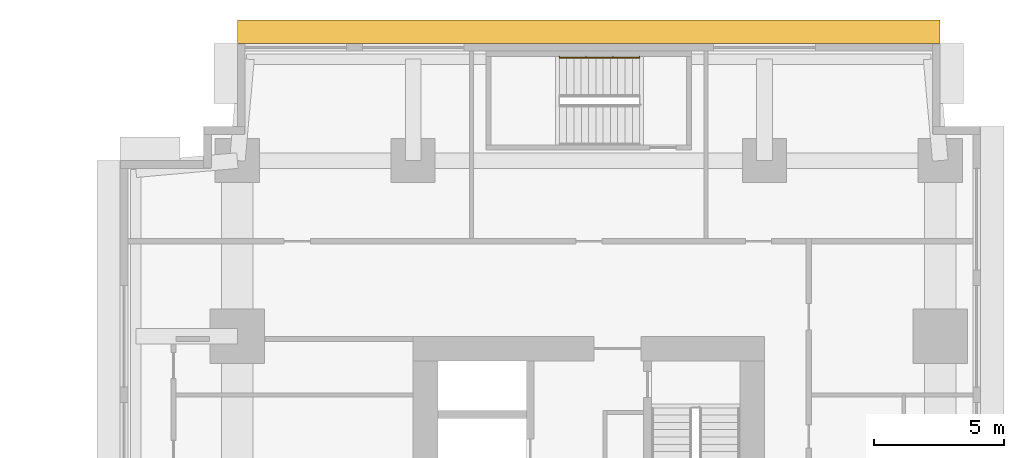
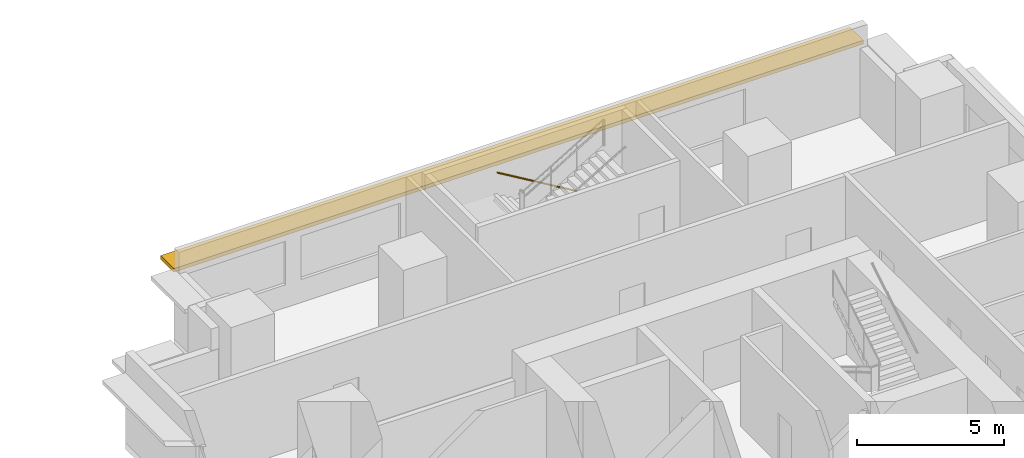
# One storey, part 11 of 11: 1 railing, 1 shading device.
"""IFC4 building model written with IfcOpenShell, lengths in metres."""

from ifc_helpers import new_model, si_unit, direction, frame, origin, origin_2d, place, context, subcontext, project, spatial, rectangle, circle, extrude, material, layer, layer_set, type_object, element, save


model = new_model("IFC4")

# Units and contexts
model_context = context("Model", 3, precision=1e-05, world=origin(), true_north=direction((0.0, 1.0)))
body_context = subcontext(model_context, "Body", "Model", "MODEL_VIEW")
ifc_project = project(units=[si_unit("LENGTHUNIT", "METRE"), si_unit("AREAUNIT", "SQUARE_METRE"), si_unit("VOLUMEUNIT", "CUBIC_METRE"), si_unit("PLANEANGLEUNIT", "RADIAN"), si_unit("MASSUNIT", "GRAM", prefix="KILO")], contexts=[model_context])

# Site, building, storey
site_placement = place(None, origin())
site = spatial("IfcSite", under=ifc_project, at=site_placement, CompositionType="ELEMENT")
building_placement = place(site_placement, origin())
building = spatial("IfcBuilding", under=site, at=building_placement, Name="Namib Vertical Campus", CompositionType="ELEMENT")
storey_placement = place(building_placement, frame((0.0, 0.0, 85.0)))
storey = spatial("IfcBuildingStorey", under=building, at=storey_placement, Name="L19", CompositionType="ELEMENT", Elevation=85.0)

# Railing
ifc_material_1 = material(Name="Steel handrail", Category="steel")
railing_type = type_object("IfcRailingType", Name="Handrail 900", PredefinedType="HANDRAIL", material=ifc_material_1)
railing_placement = place(storey_placement, frame((82.949951171875, 39.949951171875, 0.166748046875)))
element("IfcRailing", 1, at=railing_placement, inside=storey, type_object=railing_type, Name="Handrail HR1 B-S3 L19 1", PredefinedType="HANDRAIL", context=body_context, shape_type="SweptSolid", body=[
    extrude(circle(Radius=0.02392578125, at=origin_2d()), frame((0.0, 0.0, 0.8759765625), z_axis=(-0.859290745958, 0.0, 0.51148745235), x_axis=(0.0, -1.0, 0.0)), (0.0, 0.0, 1.0), 3.584228515625),
    extrude(circle(Radius=0.008056640625, at=origin_2d()), frame((0.0, 0.0, 0.8759765625), z_axis=(0.0, 1.0, 0.0), x_axis=(0.0, 0.0, 1.0)), (0.0, 0.0, 1.0), 0.050048828125),
    extrude(circle(Radius=0.008056640625, at=origin_2d()), frame((-1.026611328125, 0.0, 1.48681640625), z_axis=(0.0, 1.0, 0.0), x_axis=(0.0, 0.0, 1.0)), (0.0, 0.0, 1.0), 0.050048828125),
    extrude(circle(Radius=0.008056640625, at=origin_2d()), frame((-2.05322265625, 0.0, 2.09814453125), z_axis=(0.0, 1.0, 0.0), x_axis=(0.0, 0.0, 1.0)), (0.0, 0.0, 1.0), 0.050048828125),
    extrude(circle(Radius=0.008056640625, at=origin_2d()), frame((-3.079833984375, 0.0, 2.708984375), z_axis=(0.0, 1.0, 0.0), x_axis=(0.0, 0.0, 1.0)), (0.0, 0.0, 1.0), 0.050048828125),
])

# Shading device
ifc_material_2 = material(Name="Concrete C40/50 precast", Category="concrete")
ifc_layer = layer(ifc_material_2, 0.14990234375)
ifc_layer_set = layer_set([ifc_layer], Name="Concrete C40/50 precast")
shading_device_type = type_object("IfcShadingDeviceType", Name="Sunshade hood 900", PredefinedType="SHUTTER", material=ifc_layer_set)
shading_device_placement = place(storey_placement, frame((81.0, 40.949951171875, 2.75), z_axis=(0.0, 0.0, 1.0), x_axis=(-1.0, 0.0, 0.0)))
element("IfcShadingDevice", 2, at=shading_device_placement, inside=storey, type_object=shading_device_type, Name="Sunshade SH1 L19 7", PredefinedType="SHUTTER", context=body_context, shape_type="SweptSolid", body=[
    extrude(rectangle(XDim=27.0, YDim=0.89990234375, at=origin_2d()), origin(), (0.0, 0.0, 1.0), 0.14990234375),
])

save(model, "model.ifc")
